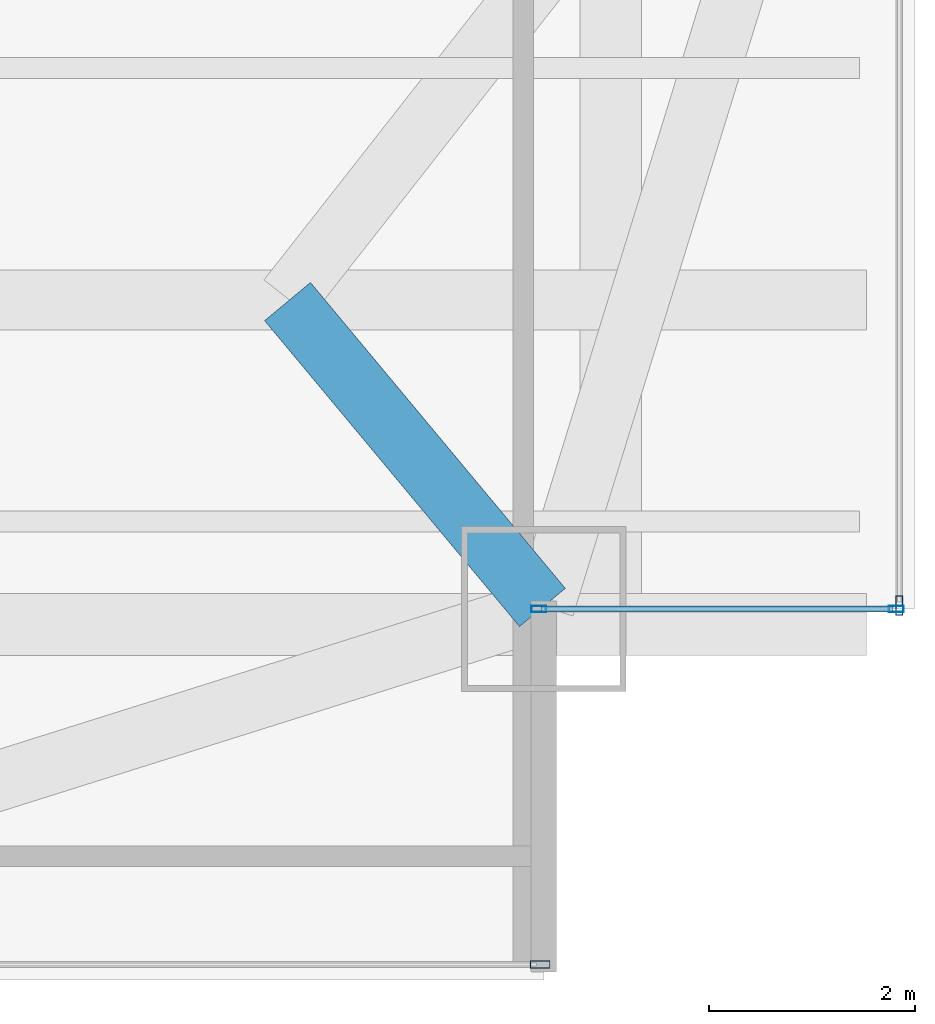
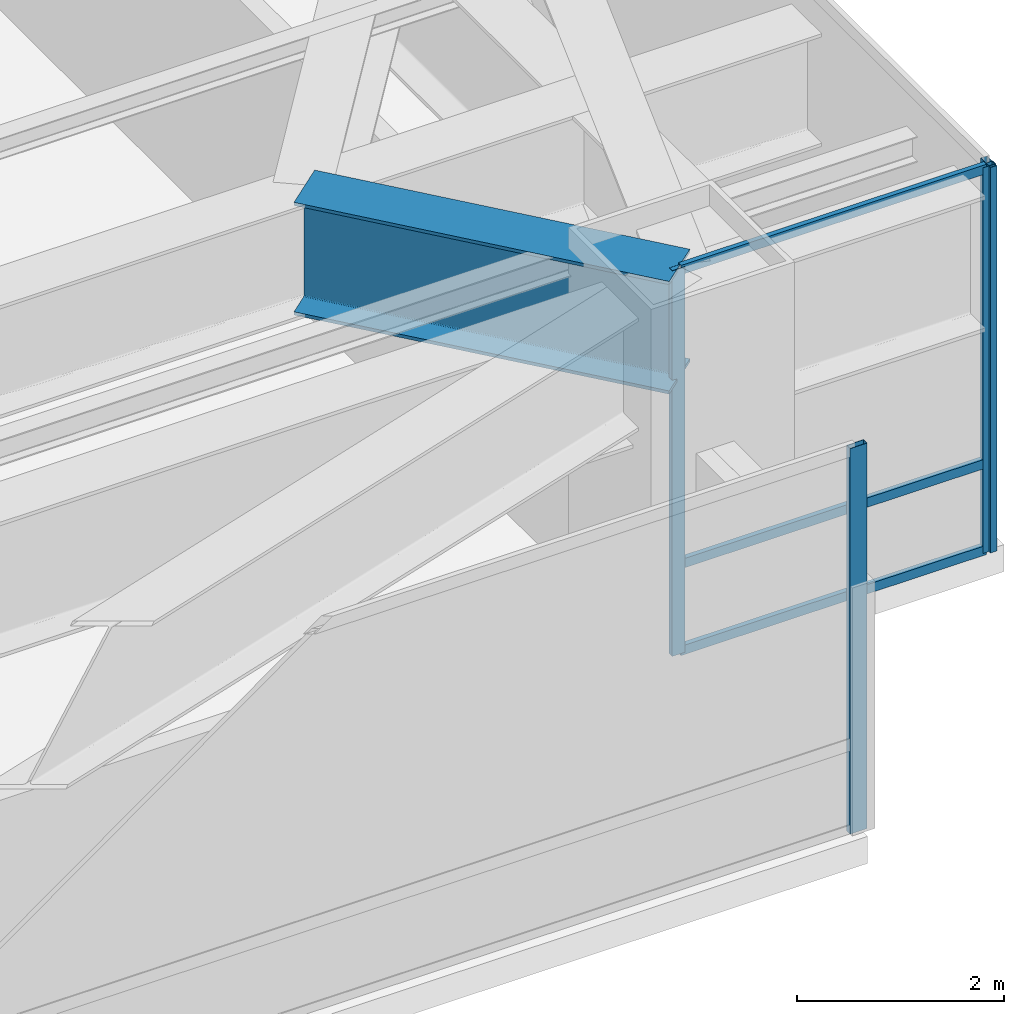
# One storey, part 16 of 30: 7 members, 1 beam, 3 elements without a shape of their own.
"""IFC4 building model written with IfcOpenShell, lengths in metres."""

from ifc_helpers import new_model, si_unit, direction, frame, origin, origin_2d, place, context, subcontext, project, spatial, hollow_rectangle, i_section, extrude, source, transform, mapped, material, layer, layer_set, material_profile, profile_set, type_object, type_shapes, element, aggregate, save


model = new_model("IFC4")

# Units and contexts
model_context = context("Model", 3, precision=1e-05, world=origin(), true_north=direction((0.0, 1.0)))
body_context = subcontext(model_context, "Body", "Model", "MODEL_VIEW")
ifc_project = project(units=[si_unit("LENGTHUNIT", "METRE"), si_unit("AREAUNIT", "SQUARE_METRE"), si_unit("VOLUMEUNIT", "CUBIC_METRE"), si_unit("PLANEANGLEUNIT", "RADIAN"), si_unit("MASSUNIT", "GRAM", prefix="KILO")], contexts=[model_context])

# Site, building, storey
site_placement = place(None, origin())
site = spatial("IfcSite", under=ifc_project, at=site_placement, CompositionType="ELEMENT")
building_placement = place(site_placement, origin())
building = spatial("IfcBuilding", under=site, at=building_placement, Name="Varnel Quay Broadcast Tower", CompositionType="ELEMENT")
storey_placement = place(building_placement, frame((0.0, 0.0, 82.199951171875)))
storey = spatial("IfcBuildingStorey", under=building, at=storey_placement, Name="L19", CompositionType="ELEMENT", Elevation=82.199951171875)

# Beam
ifc_material_1 = material(Name="Structural Steel CSA G40.21 350WT", Category="steel")
ifc_material_profile_1 = material_profile(ifc_material_1, i_section(OverallWidth=0.580078125, OverallDepth=1.330078125, WebThickness=0.02197265625, FlangeThickness=0.0380859375, FilletRadius=0.02001953125, at=origin_2d()), Name="WWF1330X535")
ifc_profile_set_1 = profile_set([ifc_material_profile_1], Name="Structural Steel CSA G40.21 350WT")
beam_type = type_object("IfcBeamType", Name="Girder_WWF1330X535", PredefinedType="BEAM", material=ifc_profile_set_1)
shared_shape_1 = source(origin(), body_context, "Body", "SweptSolid", [
    extrude(i_section(OverallWidth=0.580078125, OverallDepth=1.330078125, WebThickness=0.02197265625, FlangeThickness=0.0380859375, FilletRadius=0.02001953125, at=origin_2d()), origin(), (0.0, 0.0, 1.0), 3.864990234375),
])
type_shapes(beam_type, [shared_shape_1])
beam_placement = place(storey_placement, frame((62.38720703125, 4.8154296875, 3.885009765625), z_axis=(-0.640184399664, 0.768221279597, 0.0), x_axis=(-0.768221279597, -0.640184399664, 0.0)))
element("IfcBeam", 1, at=beam_placement, inside=storey, type_object=beam_type, Name="L19 Nodal Transfer Tie MC-SE-MC-SE", PredefinedType="BEAM", context=body_context, shape_type="MappedRepresentation", body=[
    mapped(shared_shape_1, transform((0.0, 0.0, 0.0), x_axis=(1.0, 0.0, 0.0), y_axis=(0.0, 1.0, 0.0), z_axis=(0.0, 0.0, 1.0), scale=1.0)),
])

# Curtain wall, members
ifc_material_2 = material(Name="Anodised Bronze Aluminium 6063-T6", Category="aluminium")
ifc_layer_1 = layer(ifc_material_2, 0.18994140625, Name="Anodised Bronze Aluminium 6063-T6")
ifc_layer_set_1 = layer_set([ifc_layer_1], Name="Anodised Bronze Aluminium 6063-T6")
curtain_wall_type_1 = type_object("IfcCurtainWallType", Name="CW_NotchCorner", PredefinedType="NOTDEFINED", material=ifc_layer_set_1)
curtain_wall_1_placement = place(storey_placement, origin())
curtain_wall_1 = element("IfcCurtainWall", 2, at=curtain_wall_1_placement, inside=storey, type_object=curtain_wall_type_1, Name="L19 SE Notch Curtain Wall", PredefinedType="NOTDEFINED")
ifc_material_profile_2 = material_profile(ifc_material_2, hollow_rectangle(XDim=0.054931640625, YDim=0.110107421875, WallThickness=0.0029296875, at=origin_2d()), Name="ALU55X110X3")
ifc_profile_set_2 = profile_set([ifc_material_profile_2], Name="Anodised Bronze Aluminium 6063-T6")
member_type_1 = type_object("IfcMemberType", Name="Tran_CWS-04", PredefinedType="USERDEFINED", material=ifc_profile_set_2)
shared_shape_2 = source(origin(), body_context, "Body", "SweptSolid", [
    extrude(hollow_rectangle(XDim=0.054931640625, YDim=0.110107421875, WallThickness=0.0029296875, at=origin_2d()), origin(), (0.0, 0.0, 1.0), 3.41015625),
])
type_shapes(member_type_1, [shared_shape_2])
member_1_placement = place(storey_placement, frame((62.3798828125, 4.800048828125, 0.027587890625), z_axis=(1.0, 0.0, 0.0), x_axis=(0.0, 1.0, 0.0)))
member_1 = element("IfcMember", 3, at=member_1_placement, type_object=member_type_1, Name="CWS-04 transom 1.1", ObjectType="TRANSOM", PredefinedType="USERDEFINED", context=body_context, shape_type="MappedRepresentation", body=[
    mapped(shared_shape_2, transform((0.0, 0.0, 0.0), x_axis=(1.0, 0.0, 0.0), y_axis=(0.0, 1.0, 0.0), z_axis=(0.0, 0.0, 1.0), scale=1.0)),
])
member_2_placement = place(storey_placement, frame((62.3798828125, 4.800048828125, 1.050048828125), z_axis=(1.0, 0.0, 0.0), x_axis=(0.0, 1.0, 0.0)))
member_2 = element("IfcMember", 4, at=member_2_placement, type_object=member_type_1, Name="CWS-04 transom 1.2", ObjectType="TRANSOM", PredefinedType="USERDEFINED", context=body_context, shape_type="MappedRepresentation", body=[
    mapped(shared_shape_2, transform((0.0, 0.0, 0.0), x_axis=(1.0, 0.0, 0.0), y_axis=(0.0, 1.0, 0.0), z_axis=(0.0, 0.0, 1.0), scale=1.0)),
])
member_3_placement = place(storey_placement, frame((62.3798828125, 4.800048828125, 4.5224609375), z_axis=(1.0, 0.0, 0.0), x_axis=(0.0, 1.0, 0.0)))
member_3 = element("IfcMember", 5, at=member_3_placement, type_object=member_type_1, Name="CWS-04 transom 1.3", ObjectType="TRANSOM", PredefinedType="USERDEFINED", context=body_context, shape_type="MappedRepresentation", body=[
    mapped(shared_shape_2, transform((0.0, 0.0, 0.0), x_axis=(1.0, 0.0, 0.0), y_axis=(0.0, 1.0, 0.0), z_axis=(0.0, 0.0, 1.0), scale=1.0)),
])

# Curtain wall, member
ifc_layer_2 = layer(ifc_material_2, 0.18994140625, Name="Anodised Bronze Aluminium 6063-T6")
ifc_layer_set_2 = layer_set([ifc_layer_2], Name="Anodised Bronze Aluminium 6063-T6")
curtain_wall_type_2 = type_object("IfcCurtainWallType", Name="CW_LowerTower", PredefinedType="NOTDEFINED", material=ifc_layer_set_2)
curtain_wall_2_placement = place(storey_placement, origin())
curtain_wall_2 = element("IfcCurtainWall", 6, at=curtain_wall_2_placement, inside=storey, type_object=curtain_wall_type_2, Name="L19 South Unitised Curtain Wall 1", PredefinedType="NOTDEFINED")
ifc_material_profile_3 = material_profile(ifc_material_2, hollow_rectangle(XDim=0.070068359375, YDim=0.18994140625, WallThickness=0.00390625, at=origin_2d()), Name="ALU70X190X4")
ifc_profile_set_3 = profile_set([ifc_material_profile_3], Name="Anodised Bronze Aluminium 6063-T6")
member_type_2 = type_object("IfcMemberType", Name="Mull_CWS-02", PredefinedType="MULLION", material=ifc_profile_set_3)
shared_shape_3 = source(origin(), body_context, "Body", "SweptSolid", [
    extrude(hollow_rectangle(XDim=0.070068359375, YDim=0.18994140625, WallThickness=0.00390625, at=origin_2d()), origin(), (0.0, 0.0, 1.0), 4.550048828125),
])
type_shapes(member_type_2, [shared_shape_3])
member_4_placement = place(storey_placement, frame((62.364990234375, 1.35009765625, 0.0), z_axis=(0.0, 0.0, 1.0), x_axis=(0.0, 1.0, 0.0)))
member_4 = element("IfcMember", 7, at=member_4_placement, type_object=member_type_2, Name="CWS-02 mullion 6", PredefinedType="MULLION", context=body_context, shape_type="MappedRepresentation", body=[
    mapped(shared_shape_3, transform((0.0, 0.0, 0.0), x_axis=(1.0, 0.0, 0.0), y_axis=(0.0, 1.0, 0.0), z_axis=(0.0, 0.0, 1.0), scale=1.0)),
])
aggregate(curtain_wall_2, [member_4])

curtain_wall_3_placement = place(storey_placement, origin())
curtain_wall_3 = element("IfcCurtainWall", 8, at=curtain_wall_3_placement, inside=storey, type_object=curtain_wall_type_2, Name="L19 East Unitised Curtain Wall", PredefinedType="NOTDEFINED")
member_5_placement = place(storey_placement, frame((65.85009765625, 4.8349609375, 0.0), z_axis=(0.0, 0.0, 1.0), x_axis=(-1.0, 0.0, 0.0)))
member_5 = element("IfcMember", 9, at=member_5_placement, type_object=member_type_2, Name="CWS-02 mullion 1", PredefinedType="MULLION", context=body_context, shape_type="MappedRepresentation", body=[
    mapped(shared_shape_3, transform((0.0, 0.0, 0.0), x_axis=(1.0, 0.0, 0.0), y_axis=(0.0, 1.0, 0.0), z_axis=(0.0, 0.0, 1.0), scale=1.0)),
])
aggregate(curtain_wall_3, [member_5])

# Member
ifc_material_profile_4 = material_profile(ifc_material_2, hollow_rectangle(XDim=0.06005859375, YDim=0.14501953125, WallThickness=0.00341796875, at=origin_2d()), Name="ALU60X145X3.5")
ifc_profile_set_4 = profile_set([ifc_material_profile_4], Name="Anodised Bronze Aluminium 6063-T6")
member_type_3 = type_object("IfcMemberType", Name="Mull_CWS-04", PredefinedType="MULLION", material=ifc_profile_set_4)
shared_shape_4 = source(origin(), body_context, "Body", "SweptSolid", [
    extrude(hollow_rectangle(XDim=0.06005859375, YDim=0.14501953125, WallThickness=0.00341796875, at=origin_2d()), origin(), (0.0, 0.0, 1.0), 4.550048828125),
])
type_shapes(member_type_3, [shared_shape_4])
member_6_placement = place(storey_placement, frame((62.35009765625, 4.800048828125, 0.0), z_axis=(0.0, 0.0, 1.0), x_axis=(0.0, 1.0, 0.0)))
member_6 = element("IfcMember", 10, at=member_6_placement, type_object=member_type_3, Name="CWS-04 mullion 1", PredefinedType="MULLION", context=body_context, shape_type="MappedRepresentation", body=[
    mapped(shared_shape_4, transform((0.0, 0.0, 0.0), x_axis=(1.0, 0.0, 0.0), y_axis=(0.0, 1.0, 0.0), z_axis=(0.0, 0.0, 1.0), scale=1.0)),
])

member_7_placement = place(storey_placement, frame((65.820068359375, 4.800048828125, 0.0), z_axis=(0.0, 0.0, 1.0), x_axis=(0.0, 1.0, 0.0)))
member_7 = element("IfcMember", 11, at=member_7_placement, type_object=member_type_3, Name="CWS-04 mullion 2", PredefinedType="MULLION", context=body_context, shape_type="MappedRepresentation", body=[
    mapped(shared_shape_4, transform((0.0, 0.0, 0.0), x_axis=(1.0, 0.0, 0.0), y_axis=(0.0, 1.0, 0.0), z_axis=(0.0, 0.0, 1.0), scale=1.0)),
])

aggregate(curtain_wall_1, [member_6, member_7, member_1, member_2, member_3])

save(model, "model.ifc")
